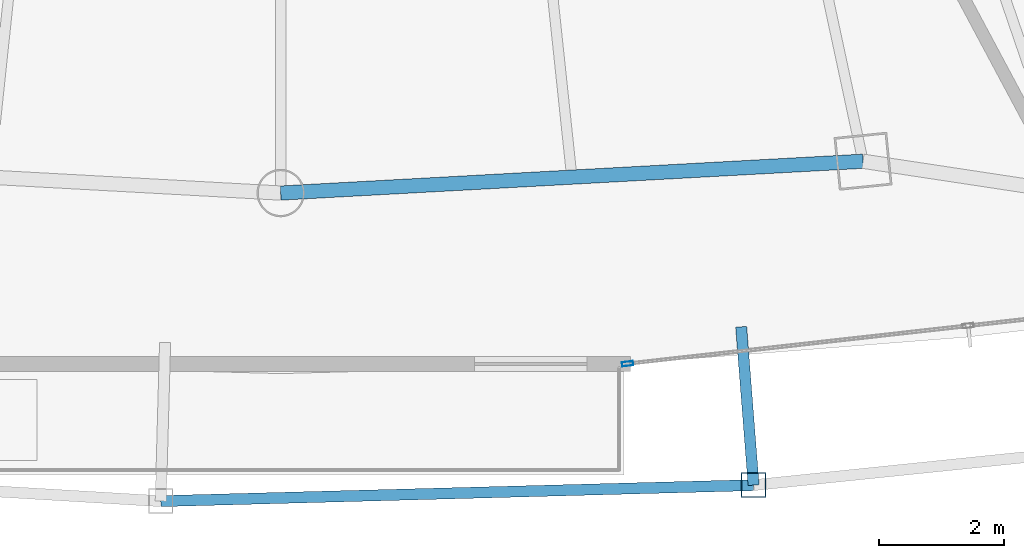
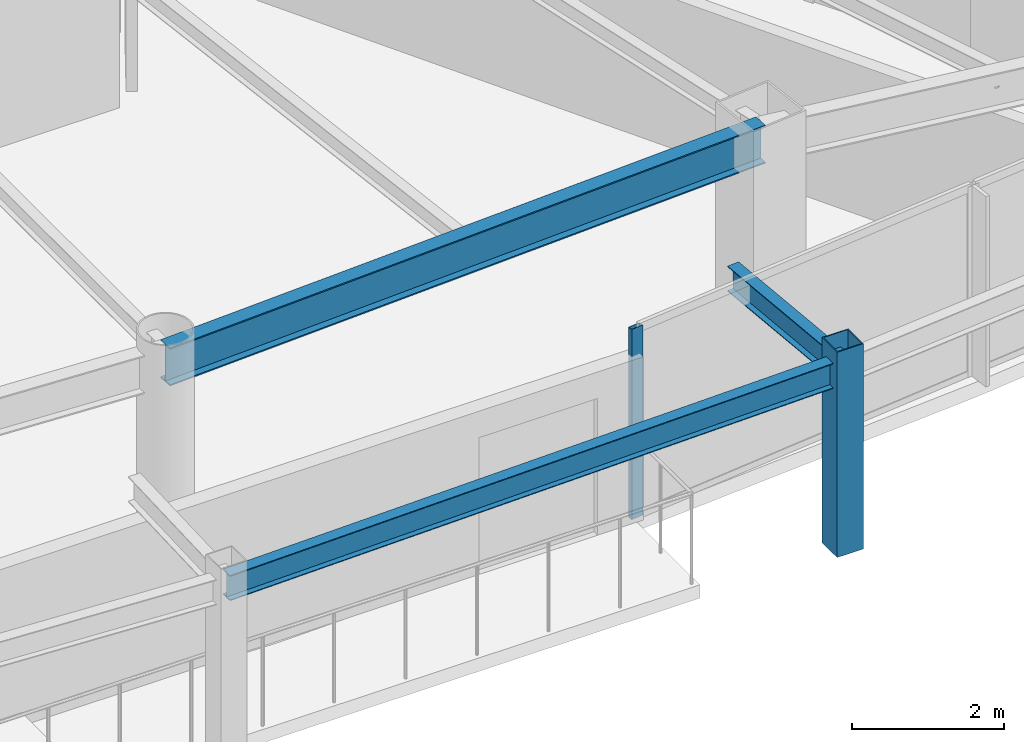
# One storey, part 8 of 30: 3 beams, 2 members, 1 element without a shape of its own.
"""IFC4 building model written with IfcOpenShell, lengths in metres."""

from ifc_helpers import new_model, si_unit, direction, frame, origin, origin_2d, place, context, subcontext, project, spatial, hollow_rectangle, i_section, extrude, material, layer, layer_set, material_profile, profile_set, type_object, element, aggregate, save


model = new_model("IFC4")

# Units and contexts
model_context = context("Model", 3, precision=1e-05, world=origin(), true_north=direction((0.0, 1.0)))
body_context = subcontext(model_context, "Body", "Model", "MODEL_VIEW")
ifc_project = project(units=[si_unit("LENGTHUNIT", "METRE"), si_unit("AREAUNIT", "SQUARE_METRE"), si_unit("VOLUMEUNIT", "CUBIC_METRE"), si_unit("PLANEANGLEUNIT", "RADIAN"), si_unit("MASSUNIT", "GRAM", prefix="KILO")], contexts=[model_context])

# Site, building, storey
site_placement = place(None, origin())
site = spatial("IfcSite", under=ifc_project, at=site_placement, CompositionType="ELEMENT")
building_placement = place(site_placement, origin())
building = spatial("IfcBuilding", under=site, at=building_placement, Name="Orvanel Arch Residences", CompositionType="ELEMENT")
storey_placement = place(building_placement, frame((0.0, 0.0, 180.35009765625)))
storey = spatial("IfcBuildingStorey", under=building, at=storey_placement, Name="L51", CompositionType="ELEMENT", Elevation=180.35009765625)

# Curtain wall, member
ifc_material_1 = material(Name="Bronze-anodised aluminium AA6063-T6", Category="aluminium")
ifc_layer = layer(ifc_material_1, 0.179931640625)
ifc_layer_set = layer_set([ifc_layer], Name="Bronze-anodised aluminium AA6063-T6")
curtain_wall_type = type_object("IfcCurtainWallType", Name="CW3-MID-SYS", PredefinedType="NOTDEFINED", material=ifc_layer_set)
curtain_wall_placement = place(storey_placement, origin())
curtain_wall = element("IfcCurtainWall", 1, at=curtain_wall_placement, inside=storey, type_object=curtain_wall_type, Name="L51 CW3-MID-SYS Unitised Curtain Wall", PredefinedType="NOTDEFINED")
ifc_material_profile_1 = material_profile(ifc_material_1, hollow_rectangle(XDim=0.070068359375, YDim=0.179931640625, WallThickness=0.00439453125, at=origin_2d()), Name="ALU180x70x4.5")
ifc_profile_set_1 = profile_set([ifc_material_profile_1], Name="Bronze-anodised aluminium AA6063-T6")
member_type_1 = type_object("IfcMemberType", Name="MUL-180x70", PredefinedType="MULLION", material=ifc_profile_set_1)
member_1_placement = place(storey_placement, frame((38.57080078125, 4.102783203125, 0.0), z_axis=(0.0, 0.0, 1.0), x_axis=(-0.111079078463, 0.993811570836, 0.0)))
member_1 = element("IfcMember", 2, at=member_1_placement, type_object=member_type_1, Name="CW-S3 mullion 1", PredefinedType="MULLION", context=body_context, shape_type="SweptSolid", body=[
    extrude(hollow_rectangle(XDim=0.070068359375, YDim=0.179931640625, WallThickness=0.00439453125, at=origin_2d()), origin(), (0.0, 0.0, 1.0), 3.059814453125),
])
aggregate(curtain_wall, [member_1])

# Beams
ifc_material_2 = material(Name="Structural steel AS/NZS 3679.1 Grade 300 (300 MPa)", Category="steel")
ifc_material_profile_2 = material_profile(ifc_material_2, i_section(OverallWidth=0.177978515625, OverallDepth=0.406005859375, WebThickness=0.0078125, FlangeThickness=0.0126953125, at=origin_2d()), Name="410UB59.7")
ifc_profile_set_2 = profile_set([ifc_material_profile_2], Name="Structural steel AS/NZS 3679.1 Grade 300 (300 MPa)")
beam_type_1 = type_object("IfcBeamType", Name="OB-410UB-EXT", PredefinedType="SPANDREL", material=ifc_profile_set_2)
beam_1_placement = place(storey_placement, frame((31.073974609375, 1.89697265625, 2.85693359375), z_axis=(0.999635587112, 0.026994313823, 0.0), x_axis=(-0.026994313823, 0.999635587112, 0.0)))
element("IfcBeam", 3, at=beam_1_placement, inside=storey, type_object=beam_type_1, Name="L51 Outer Perimeter Floor Ring Beam 06", PredefinedType="SPANDREL", context=body_context, shape_type="SweptSolid", body=[
    extrude(i_section(OverallWidth=0.177978515625, OverallDepth=0.406005859375, WebThickness=0.0078125, FlangeThickness=0.0126953125, at=origin_2d()), origin(), (0.0, 0.0, 1.0), 9.5234375),
])
beam_2_placement = place(storey_placement, frame((40.39404296875, 4.696044921875, 2.85693359375), z_axis=(0.078417019563, -0.996920644306, 0.0), x_axis=(0.996920644306, 0.078417019563, 0.0)))
element("IfcBeam", 4, at=beam_2_placement, inside=storey, type_object=beam_type_1, Name="L51 Outer Frame Radial Tie Beam 07", PredefinedType="SPANDREL", context=body_context, shape_type="SweptSolid", body=[
    extrude(i_section(OverallWidth=0.177978515625, OverallDepth=0.406005859375, WebThickness=0.0078125, FlangeThickness=0.0126953125, at=origin_2d()), origin(), (0.0, 0.0, 1.0), 2.5498046875),
])
ifc_material_profile_3 = material_profile(ifc_material_2, i_section(OverallWidth=0.22900390625, OverallDepth=0.612060546875, WebThickness=0.011962890625, FlangeThickness=0.01953125, at=origin_2d()), Name="610UB125")
ifc_profile_set_3 = profile_set([ifc_material_profile_3], Name="Structural steel AS/NZS 3679.1 Grade 300 (300 MPa)")
beam_type_2 = type_object("IfcBeamType", Name="SP-610UB", PredefinedType="SPANDREL", material=ifc_profile_set_3)
beam_3_placement = place(storey_placement, frame((33.0, 6.843994140625, 2.75390625), z_axis=(0.998510315598, 0.054563262768, 0.0), x_axis=(-0.054563262768, 0.998510315598, 0.0)))
element("IfcBeam", 5, at=beam_3_placement, inside=storey, type_object=beam_type_2, Name="L51 Perimeter Spandrel Beam 06", PredefinedType="SPANDREL", context=body_context, shape_type="SweptSolid", body=[
    extrude(i_section(OverallWidth=0.22900390625, OverallDepth=0.612060546875, WebThickness=0.011962890625, FlangeThickness=0.01953125, at=origin_2d()), origin(), (0.0, 0.0, 1.0), 9.364990234375),
])

# Member
ifc_material_3 = material(Name="Structural steel AS/NZS 1163 C450L0 (Grade 450)", Category="steel")
ifc_material_profile_4 = material_profile(ifc_material_3, hollow_rectangle(XDim=0.39990234375, YDim=0.39990234375, WallThickness=0.01611328125, at=origin_2d()), Name="SHS400x400x16")
ifc_profile_set_4 = profile_set([ifc_material_profile_4], Name="Structural steel AS/NZS 1163 C450L0 (Grade 450)")
member_type_2 = type_object("IfcMemberType", Name="ST-400SHS-EXT", PredefinedType="STRUT", material=ifc_profile_set_4)
member_2_placement = place(storey_placement, frame((40.593994140625, 2.154052734375, 0.0), z_axis=(0.0, 0.0, 1.0), x_axis=(1.0, 0.0, 0.0)))
element("IfcMember", 6, at=member_2_placement, inside=storey, type_object=member_type_2, Name="L51 Outer Perimeter Frame Post 07", PredefinedType="STRUT", context=body_context, shape_type="SweptSolid", body=[
    extrude(hollow_rectangle(XDim=0.39990234375, YDim=0.39990234375, WallThickness=0.01611328125, at=origin_2d()), origin(), (0.0, 0.0, 1.0), 3.2998046875),
])

save(model, "model.ifc")
